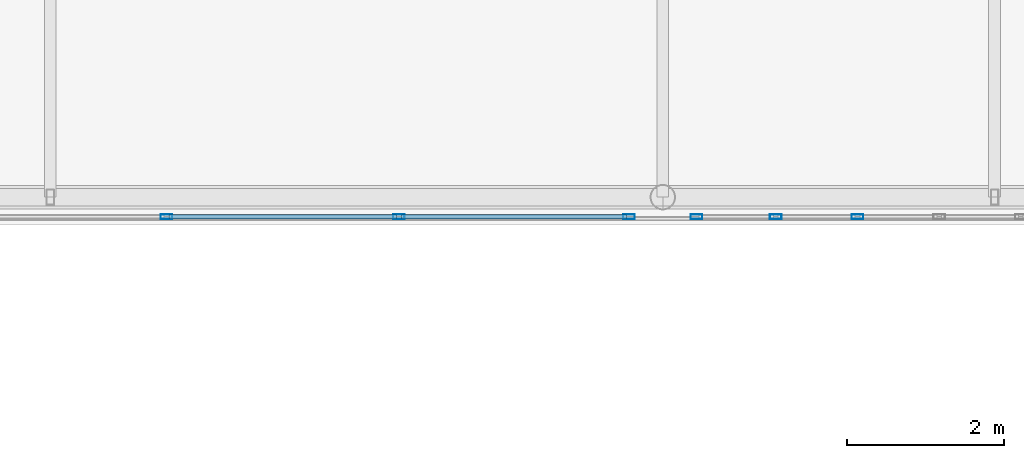
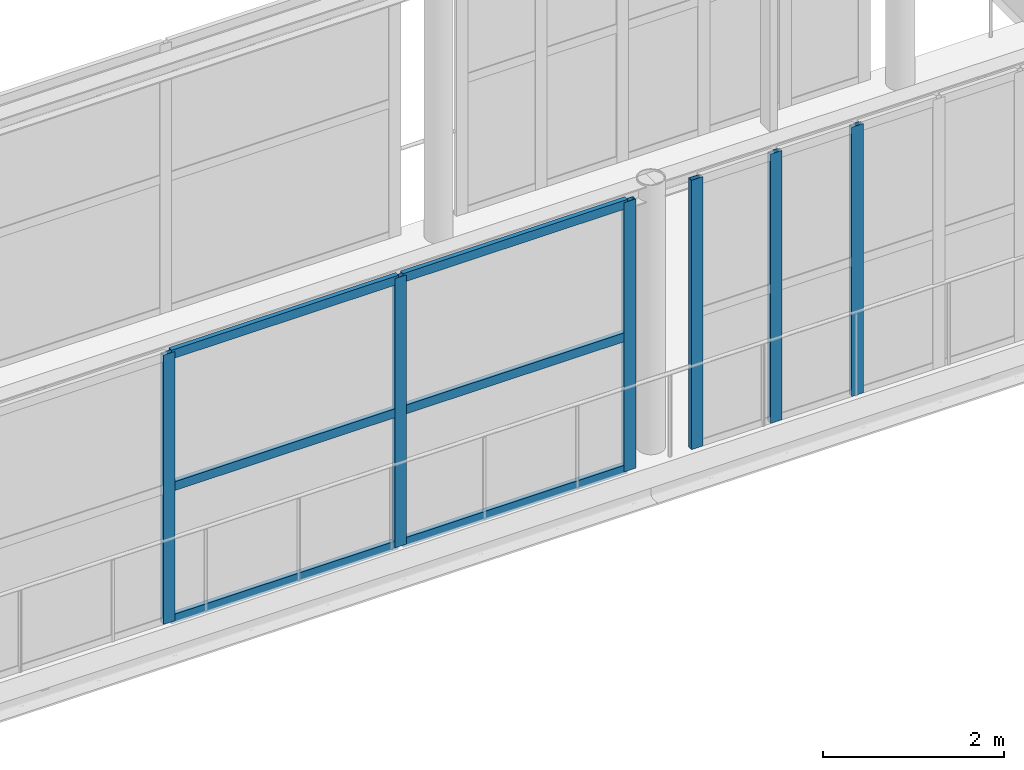
# One storey, part 72 of 167: 12 members, 2 elements without a shape of their own.
"""IFC4 building model written with IfcOpenShell, lengths in metres."""

from ifc_helpers import new_model, si_unit, direction, frame, origin, origin_2d, place, context, subcontext, project, spatial, hollow_rectangle, extrude, material, layer, layer_set, material_profile, profile_set, type_object, element, aggregate, save


model = new_model("IFC4")

# Units and contexts
model_context = context("Model", 3, precision=1e-05, world=origin(), true_north=direction((0.0, 1.0)))
body_context = subcontext(model_context, "Body", "Model", "MODEL_VIEW")
ifc_project = project(units=[si_unit("LENGTHUNIT", "METRE"), si_unit("AREAUNIT", "SQUARE_METRE"), si_unit("VOLUMEUNIT", "CUBIC_METRE"), si_unit("PLANEANGLEUNIT", "RADIAN"), si_unit("MASSUNIT", "GRAM", prefix="KILO")], contexts=[model_context])

# Site, building, storey
site_placement = place(None, origin())
site = spatial("IfcSite", under=ifc_project, at=site_placement, CompositionType="ELEMENT")
building_placement = place(site_placement, origin())
building = spatial("IfcBuilding", under=site, at=building_placement, Name="Zizhar Promenade General Hospital", CompositionType="ELEMENT")
storey_placement = place(building_placement, frame((0.0, 0.0, 9.60009765625)))
storey = spatial("IfcBuildingStorey", under=building, at=storey_placement, Name="L02", CompositionType="ELEMENT", Elevation=9.60009765625)

# Curtain wall, members
ifc_material_1 = material(Name="Anodised aluminium 6063-T6 and low-E glass", Category="aluminium")
ifc_layer = layer(ifc_material_1, 0.159912109375)
ifc_layer_set = layer_set([ifc_layer], Name="Anodised aluminium 6063-T6 and low-E glass")
curtain_wall_type = type_object("IfcCurtainWallType", Name="CW-SKY-GLZ", PredefinedType="NOTDEFINED", material=ifc_layer_set)
curtain_wall_1_placement = place(storey_placement, origin())
curtain_wall_1 = element("IfcCurtainWall", 1, at=curtain_wall_1_placement, inside=storey, type_object=curtain_wall_type, Name="Courtyard Surgical-Clinic Skybridge Level L02 South Glazing 3", PredefinedType="NOTDEFINED")
ifc_material_2 = material(Name="Anodised aluminium 6063-T6", Category="aluminium")
ifc_material_profile_1 = material_profile(ifc_material_2, hollow_rectangle(XDim=0.06005859375, YDim=0.14990234375, WallThickness=0.00390625, at=origin_2d()))
ifc_profile_set_1 = profile_set([ifc_material_profile_1], Name="Anodised aluminium 6063-T6")
member_type_1 = type_object("IfcMemberType", Name="CWM-ALU-150x60", PredefinedType="MULLION", material=ifc_profile_set_1)
member_1_placement = place(storey_placement, frame((116.570068359375, 77.5, 0.0), z_axis=(0.0, 0.0, 1.0), x_axis=(0.0, -1.0, 0.0)))
member_1 = element("IfcMember", 2, at=member_1_placement, type_object=member_type_1, Name="CW-15 mullion 1", PredefinedType="MULLION", context=body_context, shape_type="SweptSolid", body=[
    extrude(hollow_rectangle(XDim=0.06005859375, YDim=0.14990234375, WallThickness=0.00390625, at=origin_2d()), origin(), (0.0, 0.0, 1.0), 3.639892578125),
])
member_2_placement = place(storey_placement, frame((113.639892578125, 77.5, 0.0), z_axis=(0.0, 0.0, 1.0), x_axis=(0.0, -1.0, 0.0)))
member_2 = element("IfcMember", 3, at=member_2_placement, type_object=member_type_1, Name="CW-15 mullion 2", PredefinedType="MULLION", context=body_context, shape_type="SweptSolid", body=[
    extrude(hollow_rectangle(XDim=0.06005859375, YDim=0.14990234375, WallThickness=0.00390625, at=origin_2d()), origin(), (0.0, 0.0, 1.0), 3.639892578125),
])
member_3_placement = place(storey_placement, frame((110.679931640625, 77.5, 0.0), z_axis=(0.0, 0.0, 1.0), x_axis=(0.0, -1.0, 0.0)))
member_3 = element("IfcMember", 4, at=member_3_placement, type_object=member_type_1, Name="CW-15 mullion 3", PredefinedType="MULLION", context=body_context, shape_type="SweptSolid", body=[
    extrude(hollow_rectangle(XDim=0.06005859375, YDim=0.14990234375, WallThickness=0.00390625, at=origin_2d()), origin(), (0.0, 0.0, 1.0), 3.639892578125),
])

curtain_wall_2_placement = place(storey_placement, origin())
curtain_wall_2 = element("IfcCurtainWall", 5, at=curtain_wall_2_placement, inside=storey, type_object=curtain_wall_type, Name="Courtyard Surgical-Clinic Skybridge Level L02 South Glazing 4", PredefinedType="NOTDEFINED")
member_4_placement = place(storey_placement, frame((119.47998046875, 77.5, 0.0), z_axis=(0.0, 0.0, 1.0), x_axis=(0.0, -1.0, 0.0)))
member_4 = element("IfcMember", 6, at=member_4_placement, type_object=member_type_1, Name="CW-15 mullion 4", PredefinedType="MULLION", context=body_context, shape_type="SweptSolid", body=[
    extrude(hollow_rectangle(XDim=0.06005859375, YDim=0.14990234375, WallThickness=0.00390625, at=origin_2d()), origin(), (0.0, 0.0, 1.0), 3.639892578125),
])
member_5_placement = place(storey_placement, frame((118.43994140625, 77.5, 0.0), z_axis=(0.0, 0.0, 1.0), x_axis=(0.0, -1.0, 0.0)))
member_5 = element("IfcMember", 7, at=member_5_placement, type_object=member_type_1, Name="CW-15 mullion 5", PredefinedType="MULLION", context=body_context, shape_type="SweptSolid", body=[
    extrude(hollow_rectangle(XDim=0.06005859375, YDim=0.14990234375, WallThickness=0.00390625, at=origin_2d()), origin(), (0.0, 0.0, 1.0), 3.639892578125),
])
member_6_placement = place(storey_placement, frame((117.429931640625, 77.5, 0.0), z_axis=(0.0, 0.0, 1.0), x_axis=(0.0, -1.0, 0.0)))
member_6 = element("IfcMember", 8, at=member_6_placement, type_object=member_type_1, Name="CW-15 mullion 6", PredefinedType="MULLION", context=body_context, shape_type="SweptSolid", body=[
    extrude(hollow_rectangle(XDim=0.06005859375, YDim=0.14990234375, WallThickness=0.00390625, at=origin_2d()), origin(), (0.0, 0.0, 1.0), 3.639892578125),
])
aggregate(curtain_wall_2, [member_4, member_5, member_6])

# Member
ifc_material_3 = material(Name="Anodised aluminium 6063-T6", Category="aluminium")
ifc_material_profile_2 = material_profile(ifc_material_3, hollow_rectangle(XDim=0.06005859375, YDim=0.1201171875, WallThickness=0.00390625, at=origin_2d()))
ifc_profile_set_2 = profile_set([ifc_material_profile_2], Name="Anodised aluminium 6063-T6")
member_type_2 = type_object("IfcMemberType", Name="CWT-ALU-120x60", PredefinedType="USERDEFINED", material=ifc_profile_set_2)
member_7_placement = place(storey_placement, frame((116.5400390625, 77.5, 0.02978515625), z_axis=(-1.0, 0.0, 0.0), x_axis=(0.0, -1.0, 0.0)))
member_7 = element("IfcMember", 9, at=member_7_placement, type_object=member_type_2, Name="CW-15 transom 1.1", ObjectType="TRANSOM", PredefinedType="USERDEFINED", context=body_context, shape_type="SweptSolid", body=[
    extrude(hollow_rectangle(XDim=0.06005859375, YDim=0.1201171875, WallThickness=0.00390625, at=origin_2d()), origin(), (0.0, 0.0, 1.0), 2.8701171875),
])

member_8_placement = place(storey_placement, frame((116.5400390625, 77.5, 1.81982421875), z_axis=(-1.0, 0.0, 0.0), x_axis=(0.0, -1.0, 0.0)))
member_8 = element("IfcMember", 10, at=member_8_placement, type_object=member_type_2, Name="CW-15 transom 1.2", ObjectType="TRANSOM", PredefinedType="USERDEFINED", context=body_context, shape_type="SweptSolid", body=[
    extrude(hollow_rectangle(XDim=0.06005859375, YDim=0.1201171875, WallThickness=0.00390625, at=origin_2d()), origin(), (0.0, 0.0, 1.0), 2.8701171875),
])

member_9_placement = place(storey_placement, frame((116.5400390625, 77.5, 3.60986328125), z_axis=(-1.0, 0.0, 0.0), x_axis=(0.0, -1.0, 0.0)))
member_9 = element("IfcMember", 11, at=member_9_placement, type_object=member_type_2, Name="CW-15 transom 1.3", ObjectType="TRANSOM", PredefinedType="USERDEFINED", context=body_context, shape_type="SweptSolid", body=[
    extrude(hollow_rectangle(XDim=0.06005859375, YDim=0.1201171875, WallThickness=0.00390625, at=origin_2d()), origin(), (0.0, 0.0, 1.0), 2.8701171875),
])

member_10_placement = place(storey_placement, frame((113.610107421875, 77.5, 0.02978515625), z_axis=(-1.0, 0.0, 0.0), x_axis=(0.0, -1.0, 0.0)))
member_10 = element("IfcMember", 12, at=member_10_placement, type_object=member_type_2, Name="CW-15 transom 2.1", ObjectType="TRANSOM", PredefinedType="USERDEFINED", context=body_context, shape_type="SweptSolid", body=[
    extrude(hollow_rectangle(XDim=0.06005859375, YDim=0.1201171875, WallThickness=0.00390625, at=origin_2d()), origin(), (0.0, 0.0, 1.0), 2.900146484375),
])

member_11_placement = place(storey_placement, frame((113.610107421875, 77.5, 1.81982421875), z_axis=(-1.0, 0.0, 0.0), x_axis=(0.0, -1.0, 0.0)))
member_11 = element("IfcMember", 13, at=member_11_placement, type_object=member_type_2, Name="CW-15 transom 2.2", ObjectType="TRANSOM", PredefinedType="USERDEFINED", context=body_context, shape_type="SweptSolid", body=[
    extrude(hollow_rectangle(XDim=0.06005859375, YDim=0.1201171875, WallThickness=0.00390625, at=origin_2d()), origin(), (0.0, 0.0, 1.0), 2.900146484375),
])

member_12_placement = place(storey_placement, frame((113.610107421875, 77.5, 3.60986328125), z_axis=(-1.0, 0.0, 0.0), x_axis=(0.0, -1.0, 0.0)))
member_12 = element("IfcMember", 14, at=member_12_placement, type_object=member_type_2, Name="CW-15 transom 2.3", ObjectType="TRANSOM", PredefinedType="USERDEFINED", context=body_context, shape_type="SweptSolid", body=[
    extrude(hollow_rectangle(XDim=0.06005859375, YDim=0.1201171875, WallThickness=0.00390625, at=origin_2d()), origin(), (0.0, 0.0, 1.0), 2.900146484375),
])

aggregate(curtain_wall_1, [member_1, member_2, member_3, member_7, member_8, member_9, member_10, member_11, member_12])

save(model, "model.ifc")
